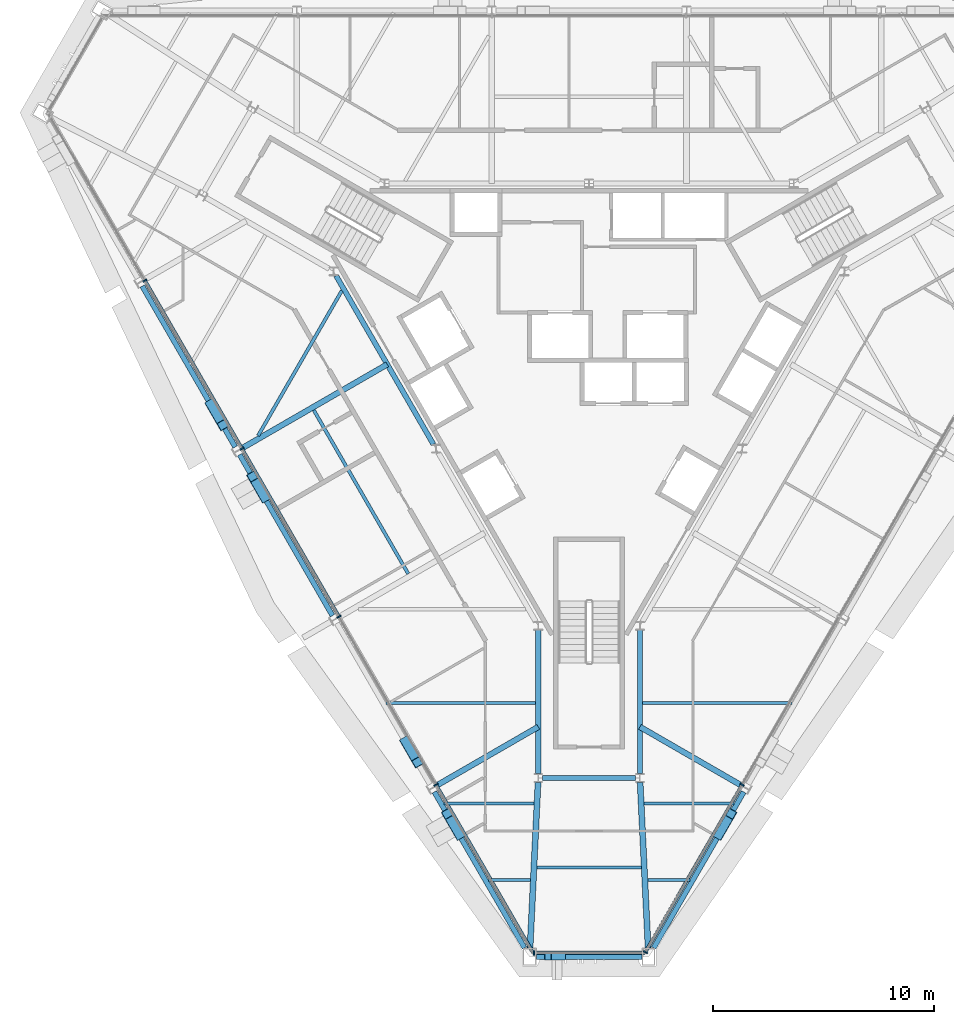
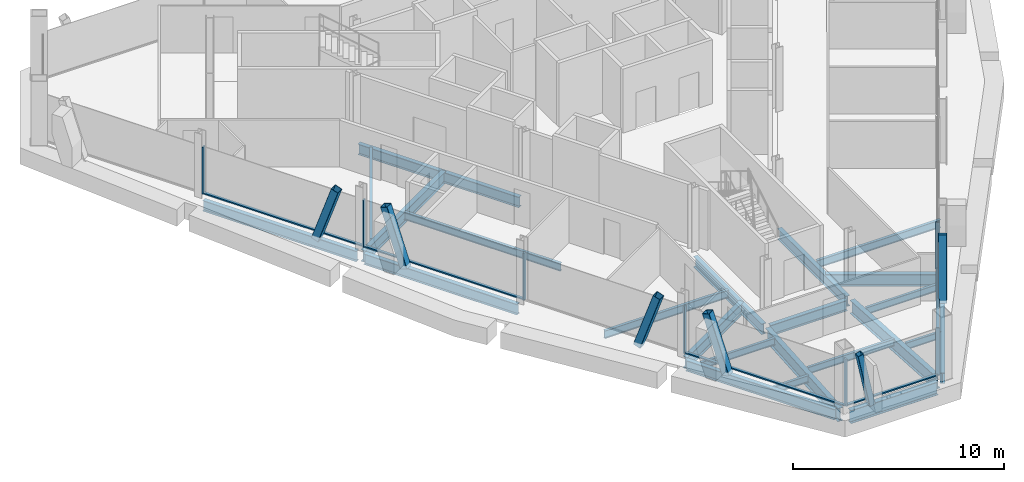
# One storey, part 3 of 14: 23 beams, 18 members, 3 elements without a shape of their own.
"""IFC4 building model written with IfcOpenShell, lengths in metres."""

from ifc_helpers import new_model, si_unit, direction, frame, origin, origin_2d, place, context, subcontext, project, spatial, rectangle, hollow_rectangle, i_section, extrude, material, material_profile, profile_set, type_object, element, aggregate, save


model = new_model("IFC4")

# Units and contexts
model_context = context("Model", 3, precision=1e-05, world=origin(), true_north=direction((0.0, 1.0)))
body_context = subcontext(model_context, "Body", "Model", "MODEL_VIEW")
ifc_project = project(units=[si_unit("LENGTHUNIT", "METRE"), si_unit("AREAUNIT", "SQUARE_METRE"), si_unit("VOLUMEUNIT", "CUBIC_METRE"), si_unit("PLANEANGLEUNIT", "RADIAN"), si_unit("MASSUNIT", "GRAM", prefix="KILO")], contexts=[model_context])

# Site, building, storey
site_placement = place(None, origin())
site = spatial("IfcSite", under=ifc_project, at=site_placement, CompositionType="ELEMENT")
building_placement = place(site_placement, origin())
building = spatial("IfcBuilding", under=site, at=building_placement, Name="Verrane Prism Tower", CompositionType="ELEMENT")
storey_placement = place(building_placement, frame((0.0, 0.0, 224.89990234375)))
storey = spatial("IfcBuildingStorey", under=building, at=storey_placement, Name="L56", CompositionType="ELEMENT", Elevation=224.89990234375)

# Member
ifc_material_1 = material(Name="Steel A500 Grade C", Category="steel")
ifc_material_profile_1 = material_profile(ifc_material_1, hollow_rectangle(XDim=0.3046875, YDim=0.3046875, WallThickness=0.0126953125, InnerFilletRadius=0.00634765625, OuterFilletRadius=0.01904296875, at=origin_2d()), Name="HSS12x12x1/2")
ifc_profile_set_1 = profile_set([ifc_material_profile_1], Name="Steel A500 Grade C")
member_type_1 = type_object("IfcMemberType", Name="Chamfer brace HSS12x12x1/2", PredefinedType="BRACE", material=ifc_profile_set_1)
member_1_placement = place(storey_placement, frame((-1.21435546875, -26.989990234375, -0.242431640625), z_axis=(-0.203416776048, 0.0, 0.979092240405), x_axis=(0.0, -1.0, 0.0)))
element("IfcMember", 1, at=member_1_placement, inside=storey, type_object=member_type_1, Name="Chamfer brace S0 L56", PredefinedType="BRACE", context=body_context, shape_type="SweptSolid", body=[
    extrude(hollow_rectangle(XDim=0.3046875, YDim=0.3046875, WallThickness=0.0126953125, InnerFilletRadius=0.00634765625, OuterFilletRadius=0.01904296875, at=origin_2d()), origin(), (0.0, 0.0, 1.0), 3.174560546875),
])

# Beams
ifc_material_2 = material(Name="Steel A992", Category="steel")
ifc_material_profile_2 = material_profile(ifc_material_2, i_section(OverallWidth=0.2666015625, OverallDepth=0.7568359375, WebThickness=0.013916015625, FlangeThickness=0.019287109375, FilletRadius=0.0166015625, at=origin_2d()), Name="W30x108")
ifc_profile_set_2 = profile_set([ifc_material_profile_2], Name="Steel A992")
beam_type_1 = type_object("IfcBeamType", Name="Chamfer spandrel beam W30x108", PredefinedType="SPANDREL", material=ifc_profile_set_2)
beam_1_placement = place(storey_placement, frame((-2.389892578125, -26.989990234375, -0.538330078125), z_axis=(1.0, 0.0, 0.0), x_axis=(0.0, 1.0, 0.0)))
element("IfcBeam", 2, at=beam_1_placement, inside=storey, type_object=beam_type_1, Name="Chamfer spandrel beam L56", PredefinedType="SPANDREL", context=body_context, shape_type="SweptSolid", body=[
    extrude(i_section(OverallWidth=0.2666015625, OverallDepth=0.7568359375, WebThickness=0.013916015625, FlangeThickness=0.019287109375, FilletRadius=0.0166015625, at=origin_2d()), origin(), (0.0, 0.0, 1.0), 4.77978515625),
])
ifc_material_3 = material(Name="Steel A992", Category="steel")
ifc_material_profile_3 = material_profile(ifc_material_3, i_section(OverallWidth=0.23046875, OverallDepth=0.6171875, WebThickness=0.01318359375, FlangeThickness=0.022216796875, FilletRadius=0.012939453125, at=origin_2d()), Name="W24x94")
ifc_profile_set_3 = profile_set([ifc_material_profile_3], Name="Steel A992")
beam_type_2 = type_object("IfcBeamType", Name="Core ring girder W24x94", PredefinedType="BEAM", material=ifc_profile_set_3)
beam_2_placement = place(storey_placement, frame((-11.448486328125, 3.826904296875, -0.55859375), z_axis=(0.499967007444, -0.866044451208, 0.0), x_axis=(0.866044451208, 0.499967007444, 0.0)))
element("IfcBeam", 3, at=beam_2_placement, inside=storey, type_object=beam_type_2, Name="Core ring girder L56", PredefinedType="BEAM", context=body_context, shape_type="SweptSolid", body=[
    extrude(i_section(OverallWidth=0.23046875, OverallDepth=0.6171875, WebThickness=0.01318359375, FlangeThickness=0.022216796875, FilletRadius=0.012939453125, at=origin_2d()), origin(), (0.0, 0.0, 1.0), 8.814453125),
])
beam_3_placement = place(storey_placement, frame((-2.300048828125, -12.212890625, -0.55859375), z_axis=(0.0, -1.0, 0.0), x_axis=(1.0, 0.0, 0.0)))
element("IfcBeam", 4, at=beam_3_placement, inside=storey, type_object=beam_type_2, Name="Core ring girder L56", PredefinedType="BEAM", context=body_context, shape_type="SweptSolid", body=[
    extrude(i_section(OverallWidth=0.23046875, OverallDepth=0.6171875, WebThickness=0.01318359375, FlangeThickness=0.022216796875, FilletRadius=0.012939453125, at=origin_2d()), origin(), (0.0, 0.0, 1.0), 6.48779296875),
])
beam_4_placement = place(storey_placement, frame((-2.099365234375, -18.89990234375, -0.55859375), z_axis=(1.0, 0.0, 0.0), x_axis=(0.0, 1.0, 0.0)))
element("IfcBeam", 5, at=beam_4_placement, inside=storey, type_object=beam_type_2, Name="Core ring girder L56", PredefinedType="BEAM", context=body_context, shape_type="SweptSolid", body=[
    extrude(i_section(OverallWidth=0.23046875, OverallDepth=0.6171875, WebThickness=0.01318359375, FlangeThickness=0.022216796875, FilletRadius=0.012939453125, at=origin_2d()), origin(), (0.0, 0.0, 1.0), 4.19873046875),
])
beam_5_placement = place(storey_placement, frame((2.300048828125, -18.70068359375, -0.55859375), z_axis=(0.0, 1.0, 0.0), x_axis=(-1.0, 0.0, 0.0)))
element("IfcBeam", 6, at=beam_5_placement, inside=storey, type_object=beam_type_2, Name="Core ring girder L56", PredefinedType="BEAM", context=body_context, shape_type="SweptSolid", body=[
    extrude(i_section(OverallWidth=0.23046875, OverallDepth=0.6171875, WebThickness=0.01318359375, FlangeThickness=0.022216796875, FilletRadius=0.012939453125, at=origin_2d()), origin(), (0.0, 0.0, 1.0), 6.48779296875),
])
ifc_material_4 = material(Name="Steel A992", Category="steel")
ifc_material_profile_4 = material_profile(ifc_material_4, i_section(OverallWidth=0.2666015625, OverallDepth=0.76708984375, WebThickness=0.014892578125, FlangeThickness=0.023681640625, FilletRadius=0.0166015625, at=origin_2d()), Name="W30x124")
ifc_profile_set_4 = profile_set([ifc_material_profile_4], Name="Steel A992")
beam_type_3 = type_object("IfcBeamType", Name="Corner girder W30x124", PredefinedType="BEAM", material=ifc_profile_set_4)
for number, where, z_axis, x_axis, name in (
    (7, (-2.670654296875, -26.590087890625, -0.603515625), (0.048148251624, 0.998840200365, 0.0), (-0.998840200365, 0.048148251624, 0.0), "Corner girder L56"),
    (8, (2.670654296875, -26.590087890625, -0.603515625), (-0.048148251624, 0.998840200365, 0.0), (-0.998840200365, -0.048148251624, 0.0), "Corner girder L56"),
):
    element("IfcBeam", number, at=place(storey_placement, frame(where, z_axis=z_axis, x_axis=x_axis)), inside=storey, type_object=beam_type_3, Name=name, PredefinedType="BEAM", context=body_context, shape_type="SweptSolid", body=[
        extrude(i_section(OverallWidth=0.2666015625, OverallDepth=0.76708984375, WebThickness=0.014892578125, FlangeThickness=0.023681640625, FilletRadius=0.0166015625, at=origin_2d()), origin(), (0.0, 0.0, 1.0), 7.49951171875),
    ])

# Members
ifc_material_5 = material(Name="Steel A500 Grade C", Category="steel")
ifc_material_profile_5 = material_profile(ifc_material_5, hollow_rectangle(XDim=0.406494140625, YDim=0.406494140625, WallThickness=0.01904296875, InnerFilletRadius=0.009521484375, OuterFilletRadius=0.028564453125, at=origin_2d()), Name="HSS16x16x3/4")
ifc_profile_set_5 = profile_set([ifc_material_profile_5], Name="Steel A500 Grade C")
member_type_2 = type_object("IfcMemberType", Name="Facade brace HSS16x16x3/4", PredefinedType="BRACE", material=ifc_profile_set_5)
member_2_placement = place(storey_placement, frame((-17.127197265625, -1.994140625, -0.216552734375), z_axis=(0.161192322573, -0.278922740316, 0.9466885127), x_axis=(0.865815369445, 0.500363613817, 0.0)))
element("IfcMember", 9, at=member_2_placement, inside=storey, type_object=member_type_2, Name="Facade brace SW1 L56", PredefinedType="BRACE", context=body_context, shape_type="SweptSolid", body=[
    extrude(hollow_rectangle(XDim=0.406494140625, YDim=0.406494140625, WallThickness=0.01904296875, InnerFilletRadius=0.009521484375, OuterFilletRadius=0.028564453125, at=origin_2d()), origin(), (0.0, 0.0, 1.0), 3.3759765625),
])
member_3_placement = place(storey_placement, frame((-14.69580078125, -6.205810546875, -0.216552734375), z_axis=(-0.160769656283, 0.27894222415, 0.946754642558), x_axis=(-0.866398669086, -0.499352927503, 0.0)))
element("IfcMember", 10, at=member_3_placement, inside=storey, type_object=member_type_2, Name="Facade brace SW2 L56", PredefinedType="BRACE", context=body_context, shape_type="SweptSolid", body=[
    extrude(hollow_rectangle(XDim=0.406494140625, YDim=0.406494140625, WallThickness=0.01904296875, InnerFilletRadius=0.009521484375, OuterFilletRadius=0.028564453125, at=origin_2d()), origin(), (0.0, 0.0, 1.0), 3.375732421875),
])
for number, where, z_axis, x_axis, name in (
    (11, (-8.317138671875, -17.254150390625, -0.216552734375), (0.161192322573, -0.278922740316, 0.9466885127), (0.865815369445, 0.500363613817, 0.0), "Facade brace SW3 L56"),
    (12, (-5.8828125, -21.4658203125, -0.216552734375), (-0.161192322573, 0.278922740316, 0.9466885127), (-0.865815369445, -0.500363613817, 0.0), "Facade brace SW4 L56"),
    (13, (5.8828125, -21.4658203125, -0.216552734375), (0.161192322573, 0.278922740316, 0.9466885127), (-0.865815369445, 0.500363613817, 0.0), "Facade brace SE0 L56"),
):
    element("IfcMember", number, at=place(storey_placement, frame(where, z_axis=z_axis, x_axis=x_axis)), inside=storey, type_object=member_type_2, Name=name, PredefinedType="BRACE", context=body_context, shape_type="SweptSolid", body=[
        extrude(hollow_rectangle(XDim=0.406494140625, YDim=0.406494140625, WallThickness=0.01904296875, InnerFilletRadius=0.009521484375, OuterFilletRadius=0.028564453125, at=origin_2d()), origin(), (0.0, 0.0, 1.0), 3.3759765625),
    ])

# Beams
ifc_material_6 = material(Name="Steel A992", Category="steel")
ifc_material_profile_6 = material_profile(ifc_material_6, i_section(OverallWidth=0.140380859375, OverallDepth=0.40380859375, WebThickness=0.007080078125, FlangeThickness=0.01123046875, FilletRadius=0.01025390625, at=origin_2d()), Name="W16x31")
ifc_profile_set_6 = profile_set([ifc_material_profile_6], Name="Steel A992")
beam_type_4 = type_object("IfcBeamType", Name="Floor beam W16x31", PredefinedType="BEAM", material=ifc_profile_set_6)
beam_6_placement = place(storey_placement, frame((-4.560791015625, -23.523193359375, -0.36181640625), z_axis=(1.0, 0.0, 0.0), x_axis=(0.0, 1.0, 0.0)))
element("IfcBeam", 14, at=beam_6_placement, inside=storey, type_object=beam_type_4, Name="Floor beam L56", PredefinedType="BEAM", context=body_context, shape_type="SweptSolid", body=[
    extrude(i_section(OverallWidth=0.140380859375, OverallDepth=0.40380859375, WebThickness=0.007080078125, FlangeThickness=0.01123046875, FilletRadius=0.01025390625, at=origin_2d()), origin(), (0.0, 0.0, 1.0), 1.904296875),
])
beam_7_placement = place(storey_placement, frame((-6.564453125, -20.056640625, -0.36181640625), z_axis=(1.0, 0.0, 0.0), x_axis=(0.0, 1.0, 0.0)))
element("IfcBeam", 15, at=beam_7_placement, inside=storey, type_object=beam_type_4, Name="Floor beam L56", PredefinedType="BEAM", context=body_context, shape_type="SweptSolid", body=[
    extrude(i_section(OverallWidth=0.140380859375, OverallDepth=0.40380859375, WebThickness=0.007080078125, FlangeThickness=0.01123046875, FilletRadius=0.01025390625, at=origin_2d()), origin(), (0.0, 0.0, 1.0), 4.074951171875),
])
beam_8_placement = place(storey_placement, frame((2.656494140625, -23.523193359375, -0.36181640625), z_axis=(1.0, 0.0, 0.0), x_axis=(0.0, 1.0, 0.0)))
element("IfcBeam", 16, at=beam_8_placement, inside=storey, type_object=beam_type_4, Name="Floor beam L56", PredefinedType="BEAM", context=body_context, shape_type="SweptSolid", body=[
    extrude(i_section(OverallWidth=0.140380859375, OverallDepth=0.40380859375, WebThickness=0.007080078125, FlangeThickness=0.01123046875, FilletRadius=0.01025390625, at=origin_2d()), origin(), (0.0, 0.0, 1.0), 1.904296875),
])
beam_9_placement = place(storey_placement, frame((2.489501953125, -20.056640625, -0.36181640625), z_axis=(1.0, 0.0, 0.0), x_axis=(0.0, 1.0, 0.0)))
element("IfcBeam", 17, at=beam_9_placement, inside=storey, type_object=beam_type_4, Name="Floor beam L56", PredefinedType="BEAM", context=body_context, shape_type="SweptSolid", body=[
    extrude(i_section(OverallWidth=0.140380859375, OverallDepth=0.40380859375, WebThickness=0.007080078125, FlangeThickness=0.01123046875, FilletRadius=0.01025390625, at=origin_2d()), origin(), (0.0, 0.0, 1.0), 4.074951171875),
])
beam_10_placement = place(storey_placement, frame((-2.361328125, -22.945068359375, -0.36181640625), z_axis=(1.0, 0.0, 0.0), x_axis=(0.0, 1.0, 0.0)))
element("IfcBeam", 18, at=beam_10_placement, inside=storey, type_object=beam_type_4, Name="Floor beam L56", PredefinedType="BEAM", context=body_context, shape_type="SweptSolid", body=[
    extrude(i_section(OverallWidth=0.140380859375, OverallDepth=0.40380859375, WebThickness=0.007080078125, FlangeThickness=0.01123046875, FilletRadius=0.01025390625, at=origin_2d()), origin(), (0.0, 0.0, 1.0), 4.72265625),
])
ifc_material_7 = material(Name="Steel A992", Category="steel")
ifc_material_profile_7 = material_profile(ifc_material_7, i_section(OverallWidth=0.15234375, OverallDepth=0.449462890625, WebThickness=0.007568359375, FlangeThickness=0.0107421875, FilletRadius=0.01025390625, at=origin_2d()), Name="W18x35")
ifc_profile_set_7 = profile_set([ifc_material_profile_7], Name="Steel A992")
beam_type_5 = type_object("IfcBeamType", Name="Floor beam W18x35", PredefinedType="BEAM", material=ifc_profile_set_7)
beam_11_placement = place(storey_placement, frame((-14.9755859375, -3.414306640625, -0.384765625), z_axis=(0.500014461485, 0.866017054281, 0.0), x_axis=(-0.866017054281, 0.500014461485, 0.0)))
element("IfcBeam", 19, at=beam_11_placement, inside=storey, type_object=beam_type_5, Name="Floor beam L56", PredefinedType="BEAM", context=body_context, shape_type="SweptSolid", body=[
    extrude(i_section(OverallWidth=0.15234375, OverallDepth=0.449462890625, WebThickness=0.007568359375, FlangeThickness=0.0107421875, FilletRadius=0.01025390625, at=origin_2d()), origin(), (0.0, 0.0, 1.0), 7.574951171875),
])
beam_12_placement = place(storey_placement, frame((-8.18359375, -9.659912109375, -0.384765625), z_axis=(-0.500005905661, 0.866021994122, 0.0), x_axis=(-0.866021994122, -0.500005905661, 0.0)))
element("IfcBeam", 20, at=beam_12_placement, inside=storey, type_object=beam_type_5, Name="Floor beam L56", PredefinedType="BEAM", context=body_context, shape_type="SweptSolid", body=[
    extrude(i_section(OverallWidth=0.15234375, OverallDepth=0.449462890625, WebThickness=0.007568359375, FlangeThickness=0.0107421875, FilletRadius=0.01025390625, at=origin_2d()), origin(), (0.0, 0.0, 1.0), 8.54931640625),
])
for number, where, z_axis, x_axis, name in (
    (21, (-9.1923828125, -15.510009765625, -0.384765625), (1.0, 0.0, 0.0), (0.0, 1.0, 0.0), "Floor beam L56"),
    (22, (2.4150390625, -15.510009765625, -0.384765625), (1.0, 0.0, 0.0), (0.0, 1.0, 0.0), "Floor beam L56"),
):
    element("IfcBeam", number, at=place(storey_placement, frame(where, z_axis=z_axis, x_axis=x_axis)), inside=storey, type_object=beam_type_5, Name=name, PredefinedType="BEAM", context=body_context, shape_type="SweptSolid", body=[
        extrude(i_section(OverallWidth=0.15234375, OverallDepth=0.449462890625, WebThickness=0.007568359375, FlangeThickness=0.0107421875, FilletRadius=0.01025390625, at=origin_2d()), origin(), (0.0, 0.0, 1.0), 6.77734375),
    ])

# Curtain wall, members
ifc_material_8 = material(Name="Aluminium framed insulated glazing", Category="aluminium")
curtain_wall_type = type_object("IfcCurtainWallType", Name="Curtain wall CW-A 8400 module", PredefinedType="NOTDEFINED", material=ifc_material_8)
curtain_wall_1_placement = place(storey_placement, origin())
curtain_wall_1 = element("IfcCurtainWall", 23, at=curtain_wall_1_placement, inside=storey, type_object=curtain_wall_type, Name="Glazed curtain wall south-west face L56", PredefinedType="NOTDEFINED")
ifc_material_9 = material(Name="Aluminium alloy 6063-T6", Category="aluminium")
ifc_material_profile_8 = material_profile(ifc_material_9, rectangle(XDim=0.199951171875, YDim=0.070068359375, at=origin_2d()), Name="Mullion 70x200 aluminium")
ifc_profile_set_8 = profile_set([ifc_material_profile_8], Name="Aluminium alloy 6063-T6")
member_type_3 = type_object("IfcMemberType", Name="Mullion 70x200 aluminium", PredefinedType="MULLION", material=ifc_profile_set_8)
member_4_placement = place(storey_placement, frame((-20.09814453125, 3.607421875, 0.0), z_axis=(0.0, 0.0, 1.0), x_axis=(0.866024862365, 0.500000937764, 0.0)))
member_4 = element("IfcMember", 24, at=member_4_placement, type_object=member_type_3, Name="CW54.4 mullion 2", PredefinedType="MULLION", context=body_context, shape_type="SweptSolid", body=[
    extrude(rectangle(XDim=0.199951171875, YDim=0.070068359375, at=origin_2d()), origin(), (0.0, 0.0, 1.0), 2.712890625),
])
member_5_placement = place(storey_placement, frame((-15.70703125, -3.998046875, 0.0), z_axis=(0.0, 0.0, 1.0), x_axis=(0.866024862365, 0.500000937764, 0.0)))
member_5 = element("IfcMember", 25, at=member_5_placement, type_object=member_type_3, Name="CW54.4 mullion 3", PredefinedType="MULLION", context=body_context, shape_type="SweptSolid", body=[
    extrude(rectangle(XDim=0.199951171875, YDim=0.070068359375, at=origin_2d()), origin(), (0.0, 0.0, 1.0), 2.712890625),
])
member_6_placement = place(storey_placement, frame((-11.31591796875, -11.603759765625, 0.0), z_axis=(0.0, 0.0, 1.0), x_axis=(0.866024862365, 0.500000937764, 0.0)))
member_6 = element("IfcMember", 26, at=member_6_placement, type_object=member_type_3, Name="CW54.4 mullion 4", PredefinedType="MULLION", context=body_context, shape_type="SweptSolid", body=[
    extrude(rectangle(XDim=0.199951171875, YDim=0.070068359375, at=origin_2d()), origin(), (0.0, 0.0, 1.0), 2.712890625),
])
member_7_placement = place(storey_placement, frame((-6.925048828125, -19.209228515625, 0.0), z_axis=(0.0, 0.0, 1.0), x_axis=(0.866024862365, 0.500000937764, 0.0)))
member_7 = element("IfcMember", 27, at=member_7_placement, type_object=member_type_3, Name="CW54.4 mullion 5", PredefinedType="MULLION", context=body_context, shape_type="SweptSolid", body=[
    extrude(rectangle(XDim=0.199951171875, YDim=0.070068359375, at=origin_2d()), origin(), (0.0, 0.0, 1.0), 2.712890625),
])

# Curtain wall, member
curtain_wall_2_placement = place(storey_placement, origin())
curtain_wall_2 = element("IfcCurtainWall", 28, at=curtain_wall_2_placement, inside=storey, type_object=curtain_wall_type, Name="Glazed curtain wall south corner L56", PredefinedType="NOTDEFINED")
member_8_placement = place(storey_placement, frame((-2.498779296875, -26.814697265625, 0.0), z_axis=(0.0, 0.0, 1.0), x_axis=(0.0, 1.0, 0.0)))
member_8 = element("IfcMember", 29, at=member_8_placement, type_object=member_type_3, Name="CW54.5 mullion 1", PredefinedType="MULLION", context=body_context, shape_type="SweptSolid", body=[
    extrude(rectangle(XDim=0.199951171875, YDim=0.070068359375, at=origin_2d()), origin(), (0.0, 0.0, 1.0), 2.712890625),
])

# Curtain wall, members
curtain_wall_3_placement = place(storey_placement, origin())
curtain_wall_3 = element("IfcCurtainWall", 30, at=curtain_wall_3_placement, inside=storey, type_object=curtain_wall_type, Name="Glazed curtain wall south-east face L56", PredefinedType="NOTDEFINED")
member_9_placement = place(storey_placement, frame((2.551513671875, -26.784423828125, 0.0), z_axis=(0.0, 0.0, 1.0), x_axis=(-0.866024862365, 0.500000937764, 0.0)))
member_9 = element("IfcMember", 31, at=member_9_placement, type_object=member_type_3, Name="CW54.6 mullion 1", PredefinedType="MULLION", context=body_context, shape_type="SweptSolid", body=[
    extrude(rectangle(XDim=0.199951171875, YDim=0.070068359375, at=origin_2d()), origin(), (0.0, 0.0, 1.0), 2.712890625),
])
member_10_placement = place(storey_placement, frame((6.925048828125, -19.209228515625, 0.0), z_axis=(0.0, 0.0, 1.0), x_axis=(-0.866024862365, 0.500000937764, 0.0)))
member_10 = element("IfcMember", 32, at=member_10_placement, type_object=member_type_3, Name="CW54.6 mullion 2", PredefinedType="MULLION", context=body_context, shape_type="SweptSolid", body=[
    extrude(rectangle(XDim=0.199951171875, YDim=0.070068359375, at=origin_2d()), origin(), (0.0, 0.0, 1.0), 2.712890625),
])

# Beams
ifc_material_10 = material(Name="Steel A992", Category="steel")
ifc_material_profile_9 = material_profile(ifc_material_10, i_section(OverallWidth=0.25390625, OverallDepth=0.683349609375, WebThickness=0.012451171875, FlangeThickness=0.01904296875, FilletRadius=0.01513671875, at=origin_2d()), Name="W27x94")
ifc_profile_set_9 = profile_set([ifc_material_profile_9], Name="Steel A992")
beam_type_6 = type_object("IfcBeamType", Name="Radial girder W27x94", PredefinedType="BEAM", material=ifc_profile_set_9)
beam_13_placement = place(storey_placement, frame((-15.7373046875, -4.000244140625, -0.5615234375), z_axis=(0.86603047963, 0.499991208275, 0.0), x_axis=(-0.499991208275, 0.86603047963, 0.0)))
element("IfcBeam", 33, at=beam_13_placement, inside=storey, type_object=beam_type_6, Name="Radial girder L56", PredefinedType="BEAM", context=body_context, shape_type="SweptSolid", body=[
    extrude(i_section(OverallWidth=0.25390625, OverallDepth=0.683349609375, WebThickness=0.012451171875, FlangeThickness=0.01904296875, FilletRadius=0.01513671875, at=origin_2d()), origin(), (0.0, 0.0, 1.0), 7.627685546875),
])
for number, where, z_axis, x_axis, name in (
    (34, (-6.92724609375, -19.26025390625, -0.5615234375), (0.866015899669, 0.50001646125, 0.0), (-0.50001646125, 0.866015899669, 0.0), "Radial girder L56"),
    (35, (6.92724609375, -19.26025390625, -0.5615234375), (-0.866015899669, 0.50001646125, 0.0), (-0.50001646125, -0.866015899669, 0.0), "Radial girder L56"),
):
    element("IfcBeam", number, at=place(storey_placement, frame(where, z_axis=z_axis, x_axis=x_axis)), inside=storey, type_object=beam_type_6, Name=name, PredefinedType="BEAM", context=body_context, shape_type="SweptSolid", body=[
        extrude(i_section(OverallWidth=0.25390625, OverallDepth=0.683349609375, WebThickness=0.012451171875, FlangeThickness=0.01904296875, FilletRadius=0.01513671875, at=origin_2d()), origin(), (0.0, 0.0, 1.0), 5.343017578125),
    ])
ifc_material_11 = material(Name="Steel A992", Category="steel")
ifc_material_profile_10 = material_profile(ifc_material_11, i_section(OverallWidth=0.23046875, OverallDepth=0.6171875, WebThickness=0.01318359375, FlangeThickness=0.022216796875, FilletRadius=0.012939453125, at=origin_2d()), Name="W24x94")
ifc_profile_set_10 = profile_set([ifc_material_profile_10], Name="Steel A992")
beam_type_7 = type_object("IfcBeamType", Name="Spandrel beam W24x94", PredefinedType="SPANDREL", material=ifc_profile_set_10)
beam_14_placement = place(storey_placement, frame((-20.219482421875, 3.356201171875, -0.468505859375), z_axis=(0.500396552915, -0.865796332766, 0.0), x_axis=(0.865796332766, 0.500396552915, 0.0)))
element("IfcBeam", 36, at=beam_14_placement, inside=storey, type_object=beam_type_7, Name="Spandrel beam L56", PredefinedType="SPANDREL", context=body_context, shape_type="SweptSolid", body=[
    extrude(i_section(OverallWidth=0.23046875, OverallDepth=0.6171875, WebThickness=0.01318359375, FlangeThickness=0.022216796875, FilletRadius=0.012939453125, at=origin_2d()), origin(), (0.0, 0.0, 1.0), 8.411376953125),
])
beam_15_placement = place(storey_placement, frame((-15.809814453125, -4.273681640625, -0.468505859375), z_axis=(0.499569084189, -0.866274050242, 0.0), x_axis=(0.866274050242, 0.499569084189, 0.0)))
element("IfcBeam", 37, at=beam_15_placement, inside=storey, type_object=beam_type_7, Name="Spandrel beam L56", PredefinedType="SPANDREL", context=body_context, shape_type="SweptSolid", body=[
    extrude(i_section(OverallWidth=0.23046875, OverallDepth=0.6171875, WebThickness=0.01318359375, FlangeThickness=0.022216796875, FilletRadius=0.012939453125, at=origin_2d()), origin(), (0.0, 0.0, 1.0), 8.40673828125),
])
for number, where, z_axis, x_axis, name in (
    (38, (-6.99951171875, -19.53369140625, -0.468505859375), (0.500400862537, -0.865793841958, 0.0), (0.865793841958, 0.500400862537, 0.0), "Spandrel beam L56"),
    (39, (2.921142578125, -26.590087890625, -0.468505859375), (0.500400862537, 0.865793841958, 0.0), (-0.865793841958, 0.500400862537, 0.0), "Spandrel beam L56"),
):
    element("IfcBeam", number, at=place(storey_placement, frame(where, z_axis=z_axis, x_axis=x_axis)), inside=storey, type_object=beam_type_7, Name=name, PredefinedType="SPANDREL", context=body_context, shape_type="SweptSolid", body=[
        extrude(i_section(OverallWidth=0.23046875, OverallDepth=0.6171875, WebThickness=0.01318359375, FlangeThickness=0.022216796875, FilletRadius=0.012939453125, at=origin_2d()), origin(), (0.0, 0.0, 1.0), 8.150146484375),
    ])

# Member
ifc_material_12 = material(Name="Aluminium alloy 6063-T6", Category="aluminium")
ifc_material_profile_11 = material_profile(ifc_material_12, rectangle(XDim=0.14990234375, YDim=0.070068359375, at=origin_2d()), Name="Transom 70x150 aluminium")
ifc_profile_set_11 = profile_set([ifc_material_profile_11], Name="Aluminium alloy 6063-T6")
member_type_4 = type_object("IfcMemberType", Name="Transom 70x150 aluminium", PredefinedType="USERDEFINED", material=ifc_profile_set_11)
member_11_placement = place(storey_placement, frame((-20.08056640625, 3.5771484375, 0.03515625), z_axis=(0.499990905326, -0.866030654533, 0.0), x_axis=(0.866030654533, 0.499990905326, 0.0)))
member_11 = element("IfcMember", 40, at=member_11_placement, type_object=member_type_4, Name="CW54.4 transom 2", ObjectType="TRANSOM", PredefinedType="USERDEFINED", context=body_context, shape_type="SweptSolid", body=[
    extrude(rectangle(XDim=0.14990234375, YDim=0.070068359375, at=origin_2d()), origin(), (0.0, 0.0, 1.0), 8.712158203125),
])

member_12_placement = place(storey_placement, frame((-15.689697265625, -4.028564453125, 0.03515625), z_axis=(0.500024057273, -0.866011513866, 0.0), x_axis=(0.866011513866, 0.500024057273, 0.0)))
member_12 = element("IfcMember", 41, at=member_12_placement, type_object=member_type_4, Name="CW54.4 transom 3", ObjectType="TRANSOM", PredefinedType="USERDEFINED", context=body_context, shape_type="SweptSolid", body=[
    extrude(rectangle(XDim=0.14990234375, YDim=0.070068359375, at=origin_2d()), origin(), (0.0, 0.0, 1.0), 8.7119140625),
])

member_13_placement = place(storey_placement, frame((-6.907470703125, -19.239501953125, 0.03515625), z_axis=(0.499999494409, -0.866025695687, 0.0), x_axis=(0.866025695687, 0.499999494409, 0.0)))
member_13 = element("IfcMember", 42, at=member_13_placement, type_object=member_type_4, Name="CW54.4 transom 5", ObjectType="TRANSOM", PredefinedType="USERDEFINED", context=body_context, shape_type="SweptSolid", body=[
    extrude(rectangle(XDim=0.14990234375, YDim=0.070068359375, at=origin_2d()), origin(), (0.0, 0.0, 1.0), 8.7470703125),
])

aggregate(curtain_wall_1, [member_4, member_5, member_6, member_7, member_11, member_12, member_13])

member_14_placement = place(storey_placement, frame((-2.4638671875, -26.814697265625, 0.03515625), z_axis=(1.0, 0.0, 0.0), x_axis=(0.0, 1.0, 0.0)))
member_14 = element("IfcMember", 43, at=member_14_placement, type_object=member_type_4, Name="CW54.5 transom 1", ObjectType="TRANSOM", PredefinedType="USERDEFINED", context=body_context, shape_type="SweptSolid", body=[
    extrude(rectangle(XDim=0.14990234375, YDim=0.070068359375, at=origin_2d()), origin(), (0.0, 0.0, 1.0), 4.997802734375),
])

aggregate(curtain_wall_2, [member_8, member_14])

member_15_placement = place(storey_placement, frame((2.56884765625, -26.754150390625, 0.03515625), z_axis=(0.500003349176, 0.866023470128, 0.0), x_axis=(-0.866023470128, 0.500003349176, 0.0)))
member_15 = element("IfcMember", 44, at=member_15_placement, type_object=member_type_4, Name="CW54.6 transom 1", ObjectType="TRANSOM", PredefinedType="USERDEFINED", context=body_context, shape_type="SweptSolid", body=[
    extrude(rectangle(XDim=0.14990234375, YDim=0.070068359375, at=origin_2d()), origin(), (0.0, 0.0, 1.0), 8.67724609375),
])

aggregate(curtain_wall_3, [member_9, member_10, member_15])

save(model, "model.ifc")
